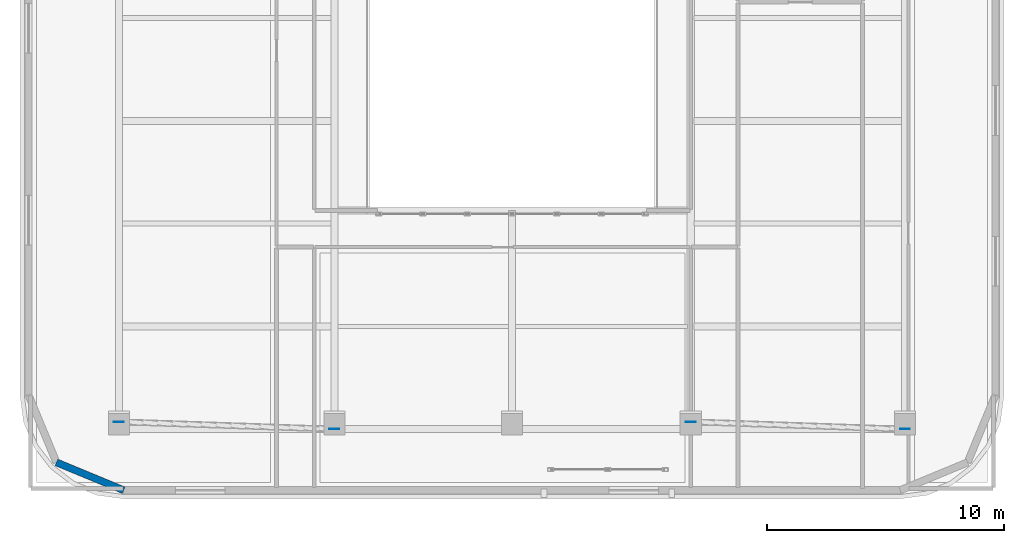
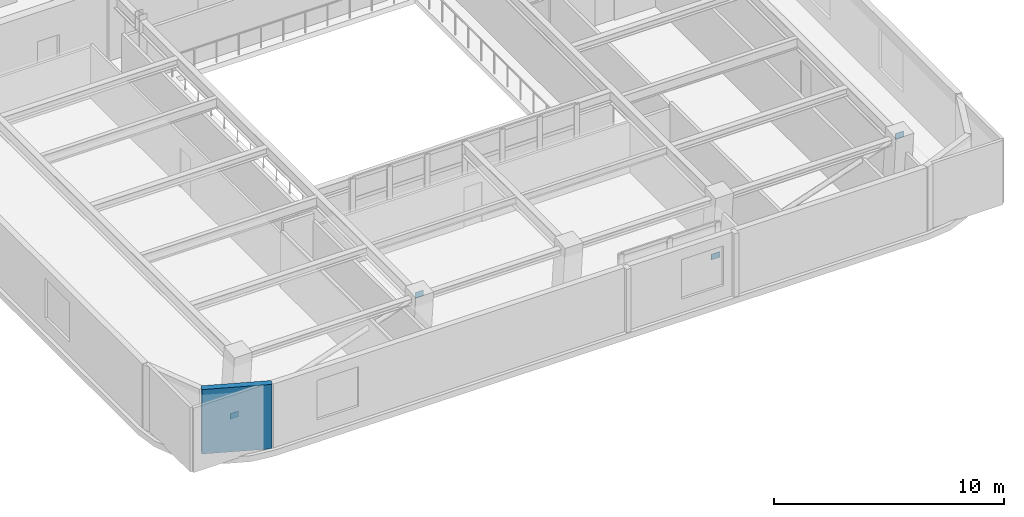
# One storey, part 5 of 12: 4 plates, 1 wall.
"""IFC4 building model written with IfcOpenShell, lengths in metres."""

from ifc_helpers import new_model, si_unit, direction, frame, frame_2d, origin, origin_2d, place, context, subcontext, project, spatial, rectangle, extrude, material, layer, layer_set, type_object, element, save


model = new_model("IFC4")

# Units and contexts
model_context = context("Model", 3, precision=1e-05, world=origin(), true_north=direction((0.0, 1.0)))
body_context = subcontext(model_context, "Body", "Model", "MODEL_VIEW")
ifc_project = project(units=[si_unit("LENGTHUNIT", "METRE"), si_unit("AREAUNIT", "SQUARE_METRE"), si_unit("VOLUMEUNIT", "CUBIC_METRE"), si_unit("PLANEANGLEUNIT", "RADIAN"), si_unit("MASSUNIT", "GRAM", prefix="KILO")], contexts=[model_context])

# Site, building, storey
site_placement = place(None, origin())
site = spatial("IfcSite", under=ifc_project, at=site_placement, CompositionType="ELEMENT")
building_placement = place(site_placement, origin())
building = spatial("IfcBuilding", under=site, at=building_placement, Name="Zarnavel Station Tower", CompositionType="ELEMENT")
storey_placement = place(building_placement, frame((0.0, 0.0, 273.199951171875)))
storey = spatial("IfcBuildingStorey", under=building, at=storey_placement, Name="L74", CompositionType="ELEMENT", Elevation=273.199951171875)

# Plates
ifc_material_1 = material(Name="Steel S460M", Category="steel")
ifc_layer_1 = layer(ifc_material_1, 0.02490234375)
ifc_layer_set_1 = layer_set([ifc_layer_1], Name="GP_GUSSET_25")
plate_type = type_object("IfcPlateType", Name="GP_GUSSET_25", PredefinedType="USERDEFINED", material=ifc_layer_set_1)
for number, where, z_axis, x_axis, name in (
    (1, (12.199951171875, 1.470703125, -0.14990234375), (0.0, 0.0, 1.0), (1.0, 0.0, 0.0), "L74 Exterior Diagonal Brace End Gusset 1-1"),
    (2, (21.300048828125, 1.16064453125, 3.27001953125), (0.0, 0.0, 1.0), (1.0, 0.0, 0.0), "L74 Exterior Diagonal Brace End Gusset 1-2"),
    (3, (36.35009765625, 1.470703125, -0.14990234375), (0.0, 0.0, 1.0), (1.0, 0.0, 0.0), "L74 Exterior Diagonal Brace End Gusset 2-1"),
    (4, (45.39990234375, 1.16064453125, 3.27001953125), (0.0, 0.0, 1.0), (1.0, 0.0, 0.0), "L74 Exterior Diagonal Brace End Gusset 2-2"),
):
    element("IfcPlate", number, at=place(storey_placement, frame(where, z_axis=z_axis, x_axis=x_axis)), inside=storey, type_object=plate_type, Name=name, ObjectType="GUSSET_PLATE", PredefinedType="USERDEFINED", context=body_context, shape_type="SweptSolid", body=[
        extrude(rectangle(XDim=0.419921875, YDim=0.02490234375, at=origin_2d()), origin(), (0.0, 0.0, 1.0), 0.300048828125),
    ])

# Wall
ifc_material_2 = material(Name="Precast concrete C45/55 (Dark Basalt Finish)", Category="masonry")
ifc_layer_2 = layer(ifc_material_2, 0.300048828125)
ifc_layer_set_2 = layer_set([ifc_layer_2], Name="EW_BASALT_300")
wall_type = type_object("IfcWallType", Name="EW_BASALT_300", PredefinedType="SOLIDWALL", material=ifc_layer_set_2)
wall_placement = place(storey_placement, frame((12.39990234375, -1.419921875, 0.0), z_axis=(0.0, 0.0, 1.0), x_axis=(-0.92389884758, 0.382636798336, 0.0)))
element("IfcWall", 5, at=wall_placement, inside=storey, type_object=wall_type, Name="L74 Exterior Basalt Masonry Frame Wall 11", PredefinedType="SOLIDWALL", context=body_context, shape_type="SweptSolid", body=[
    extrude(rectangle(XDim=3.07666015625, YDim=0.300048828125, at=frame_2d((1.538330078125, 0.0))), origin(), (0.0, 0.0, 1.0), 3.420166015625),
])

save(model, "model.ifc")
